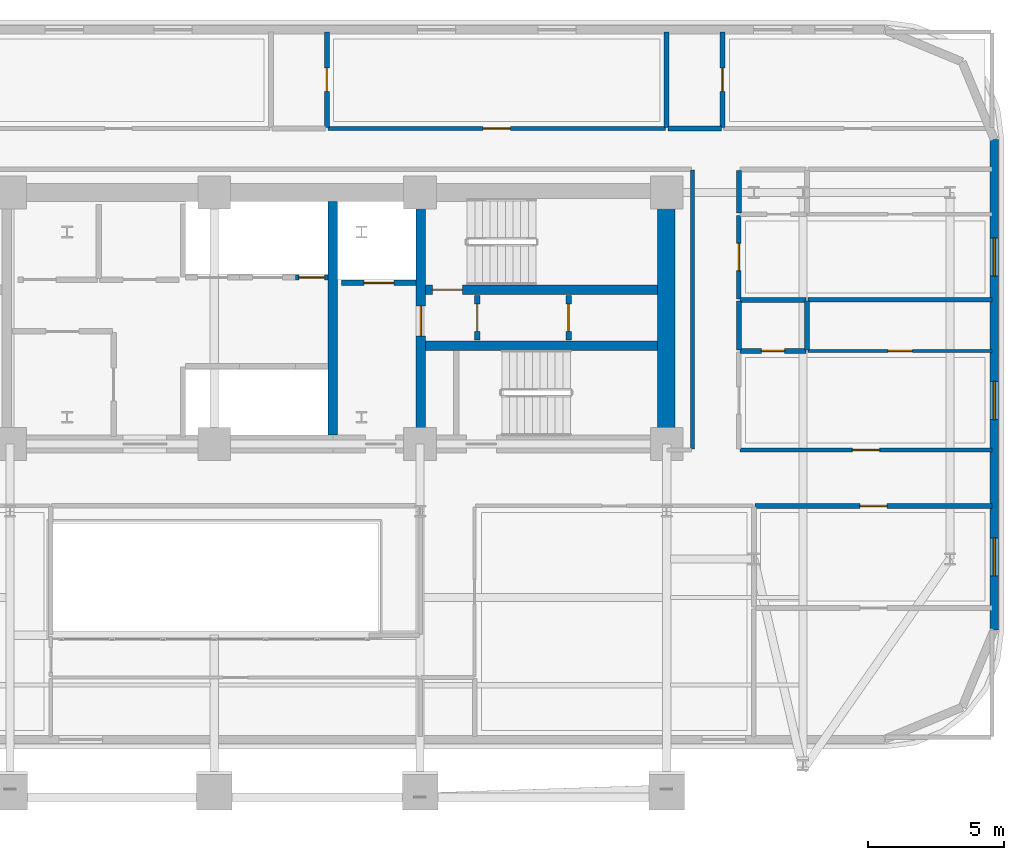
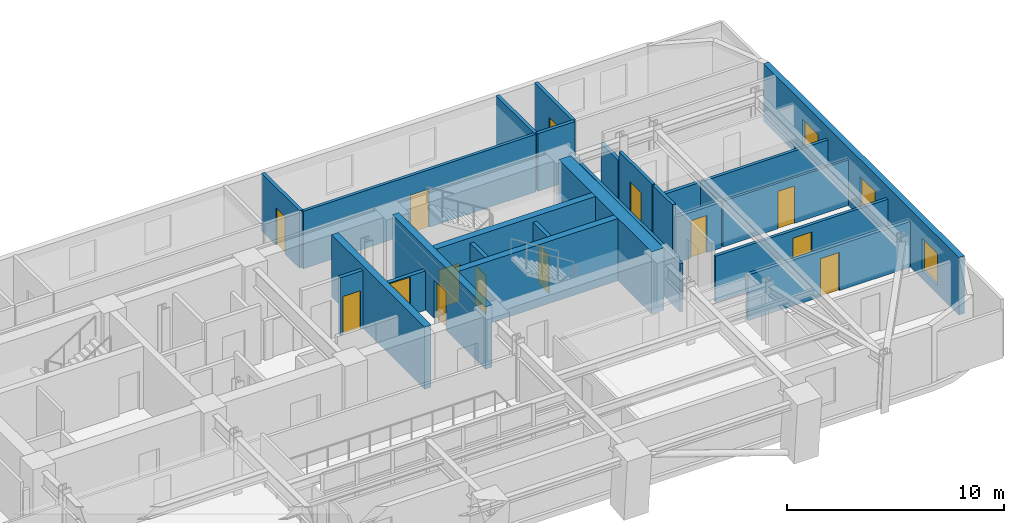
# One storey, part 10 of 14: 26 walls, 14 doors, 3 windows, 17 openings.
"""IFC4 building model written with IfcOpenShell, lengths in metres."""

from ifc_helpers import new_model, si_unit, direction, frame, frame_2d, origin, place, context, subcontext, project, spatial, rectangle, extrude, material, layer, layer_set, type_object, element, fill, save


model = new_model("IFC4")

# Units and contexts
model_context = context("Model", 3, precision=1e-05, world=origin(), true_north=direction((0.0, 1.0)))
body_context = subcontext(model_context, "Body", "Model", "MODEL_VIEW")
ifc_project = project(units=[si_unit("LENGTHUNIT", "METRE"), si_unit("AREAUNIT", "SQUARE_METRE"), si_unit("VOLUMEUNIT", "CUBIC_METRE"), si_unit("PLANEANGLEUNIT", "RADIAN"), si_unit("MASSUNIT", "GRAM", prefix="KILO")], contexts=[model_context])

# Site, building, storey
site_placement = place(None, origin())
site = spatial("IfcSite", under=ifc_project, at=site_placement, CompositionType="ELEMENT")
building_placement = place(site_placement, origin())
building = spatial("IfcBuilding", under=site, at=building_placement, Name="Zarnavel Station Tower", CompositionType="ELEMENT")
storey_placement = place(building_placement, frame((0.0, 0.0, 122.300048828125)))
storey = spatial("IfcBuildingStorey", under=building, at=storey_placement, Name="L33", CompositionType="ELEMENT", Elevation=122.300048828125)

# Wall
ifc_material_1 = material(Name="Concrete C50/60", Category="concrete")
ifc_layer_1 = layer(ifc_material_1, 0.35009765625)
ifc_layer_set_1 = layer_set([ifc_layer_1], Name="CW_350")
wall_type_1 = type_object("IfcWallType", Name="CW_350", PredefinedType="SHEAR", material=ifc_layer_set_1)
wall_1_placement = place(storey_placement, frame((33.14990234375, 28.14501953125, 0.0), z_axis=(0.0, 0.0, 1.0), x_axis=(0.0, 1.0, 0.0)))
element("IfcWall", 1, at=wall_1_placement, inside=storey, type_object=wall_type_1, Name="L33 Rear Core Shear Wall DIV-E", PredefinedType="SHEAR", context=body_context, shape_type="SweptSolid", body=[
    extrude(rectangle(XDim=8.580078125, YDim=0.35009765625, at=frame_2d((4.2900390625, 0.0))), origin(), (0.0, 0.0, 1.0), 3.5),
])

# Wall, opening, door
wall_2_placement = place(storey_placement, frame((36.3798828125, 28.14501953125, 0.0), z_axis=(0.0, 0.0, 1.0), x_axis=(0.0, 1.0, 0.0)))
wall_2 = element("IfcWall", 2, at=wall_2_placement, inside=storey, type_object=wall_type_1, Name="L33 Rear Core Shear Wall DIV-S2", PredefinedType="SHEAR", context=body_context, shape_type="SweptSolid", body=[
    extrude(rectangle(XDim=8.580078125, YDim=0.35009765625, at=frame_2d((4.2900390625, 0.0))), origin(), (0.0, 0.0, 1.0), 3.5),
])
opening_1_placement = place(wall_2_placement, frame((3.635009765625, 0.0, 0.0)))
opening_1 = element("IfcOpeningElement", 3, at=opening_1_placement, cuts=wall_2, Name="Opening FD01", PredefinedType="OPENING", context=body_context, shape_type="SweptSolid", body=[
    extrude(rectangle(XDim=1.10009765625, YDim=2.14990234375, at=frame_2d((0.550048828125, 1.074951171875))), frame((0.0, 0.18505859375, 0.0), z_axis=(0.0, -1.0, 0.0), x_axis=(1.0, 0.0, 0.0)), (0.0, 0.0, 1.0), 0.3701171875),
])
ifc_material_2 = material(Name="Painted Galvanised Steel and Hardwood Leaf", Category="steel")
door_type_1 = type_object("IfcDoorType", Name="ID_STAIR_1100", OperationType="NOTDEFINED", PredefinedType="DOOR", material=ifc_material_2)
door_1_placement = place(opening_1_placement, origin())
door_1 = element("IfcDoor", 4, at=door_1_placement, inside=storey, type_object=door_type_1, Name="L33 East Stair Vestibule Fire Door", OperationType="SINGLE_SWING_LEFT", OverallHeight=2.14990234375, OverallWidth=1.10009765625, PredefinedType="DOOR", context=body_context, shape_type="SweptSolid", body=[
    extrude(rectangle(XDim=1.10009765625, YDim=2.14990234375, at=frame_2d((0.550048828125, 1.074951171875))), frame((0.0, 0.02490234375, 0.0), z_axis=(0.0, -1.0, 0.0), x_axis=(1.0, 0.0, 0.0)), (0.0, 0.0, 1.0), 0.050048828125),
])
fill(opening_1, door_1)

wall_3_placement = place(storey_placement, frame((45.054931640625, 33.47998046875, 0.0), z_axis=(0.0, 0.0, 1.0), x_axis=(-1.0, 0.0, 0.0)))
wall_3 = element("IfcWall", 5, at=wall_3_placement, inside=storey, type_object=wall_type_1, Name="L33 Rear Core Shear Wall DIV-H2", PredefinedType="SHEAR", context=body_context, shape_type="SweptSolid", body=[
    extrude(rectangle(XDim=8.5, YDim=0.35009765625, at=frame_2d((4.25, 0.0))), origin(), (0.0, 0.0, 1.0), 3.5),
])
opening_2_placement = place(wall_3_placement, frame((7.155029296875, 0.0, 0.0)))
opening_2 = element("IfcOpeningElement", 6, at=opening_2_placement, cuts=wall_3, Name="Opening FD01", PredefinedType="OPENING", context=body_context, shape_type="SweptSolid", body=[
    extrude(rectangle(XDim=1.10009765625, YDim=2.14990234375, at=frame_2d((0.550048828125, 1.074951171875))), frame((0.0, 0.18505859375, 0.0), z_axis=(0.0, -1.0, 0.0), x_axis=(1.0, 0.0, 0.0)), (0.0, 0.0, 1.0), 0.3701171875),
])
door_2_placement = place(opening_2_placement, origin())
door_2 = element("IfcDoor", 7, at=door_2_placement, inside=storey, type_object=door_type_1, Name="L33 Stair ST2 Lobby Fire Door", OperationType="SINGLE_SWING_RIGHT", OverallHeight=2.14990234375, OverallWidth=1.10009765625, PredefinedType="DOOR", context=body_context, shape_type="SweptSolid", body=[
    extrude(rectangle(XDim=1.10009765625, YDim=2.14990234375, at=frame_2d((0.550048828125, 1.074951171875))), frame((0.0, 0.02490234375, 0.0), z_axis=(0.0, -1.0, 0.0), x_axis=(1.0, 0.0, 0.0)), (0.0, 0.0, 1.0), 0.050048828125),
])
fill(opening_2, door_2)

# Walls
wall_4_placement = place(storey_placement, frame((36.554931640625, 31.419921875, 0.0), z_axis=(0.0, 0.0, 1.0), x_axis=(1.0, 0.0, 0.0)))
element("IfcWall", 8, at=wall_4_placement, inside=storey, type_object=wall_type_1, Name="L33 Rear Core Shear Wall DIV-H3", PredefinedType="SHEAR", context=body_context, shape_type="SweptSolid", body=[
    extrude(rectangle(XDim=8.5, YDim=0.35009765625, at=frame_2d((4.25, 0.0))), origin(), (0.0, 0.0, 1.0), 3.5),
])
ifc_material_3 = material(Name="Concrete C60/75", Category="concrete")
ifc_layer_2 = layer(ifc_material_3, 0.64990234375)
ifc_layer_set_2 = layer_set([ifc_layer_2], Name="CW_650")
wall_type_2 = type_object("IfcWallType", Name="CW_650", PredefinedType="SHEAR", material=ifc_layer_set_2)
wall_5_placement = place(storey_placement, frame((45.3798828125, 28.14501953125, 0.0), z_axis=(0.0, 0.0, 1.0), x_axis=(0.0, 1.0, 0.0)))
element("IfcWall", 9, at=wall_5_placement, inside=storey, type_object=wall_type_2, Name="L33 Rear Core Shear Wall E", PredefinedType="SHEAR", context=body_context, shape_type="SweptSolid", body=[
    extrude(rectangle(XDim=8.580078125, YDim=0.64990234375, at=frame_2d((4.2900390625, 0.0))), origin(), (0.0, 0.0, 1.0), 3.5),
])

# Wall, openings, windows
ifc_material_4 = material(Name="Precast concrete C45/55 (Dark Basalt Finish)", Category="masonry")
ifc_layer_3 = layer(ifc_material_4, 0.300048828125)
ifc_layer_set_3 = layer_set([ifc_layer_3], Name="EW_BASALT_300")
wall_type_3 = type_object("IfcWallType", Name="EW_BASALT_300", PredefinedType="SOLIDWALL", material=ifc_layer_set_3)
wall_6_placement = place(storey_placement, frame((57.419921875, 39.0, 0.0), z_axis=(0.0, 0.0, 1.0), x_axis=(0.0, -1.0, 0.0)))
wall_6 = element("IfcWall", 10, at=wall_6_placement, inside=storey, type_object=wall_type_3, Name="L33 Exterior Basalt Masonry Frame Wall 03", PredefinedType="SOLIDWALL", context=body_context, shape_type="SweptSolid", body=[
    extrude(rectangle(XDim=18.0, YDim=0.300048828125, at=frame_2d((9.0, 0.0))), origin(), (0.0, 0.0, 1.0), 3.239990234375),
])
opening_3_placement = place(wall_6_placement, frame((8.882080078125, 0.0, 0.47998046875)))
opening_3 = element("IfcOpeningElement", 11, at=opening_3_placement, cuts=wall_6, Name="Opening WN01", PredefinedType="OPENING", context=body_context, shape_type="SweptSolid", body=[
    extrude(rectangle(XDim=1.39990234375, YDim=1.800048828125, at=frame_2d((0.699951171875, 0.89990234375))), frame((0.0, 0.159912109375, 0.0), z_axis=(0.0, -1.0, 0.0), x_axis=(1.0, 0.0, 0.0)), (0.0, 0.0, 1.0), 0.320068359375),
])
opening_4_placement = place(wall_6_placement, frame((3.62060546875, 0.0, 0.47998046875)))
opening_4 = element("IfcOpeningElement", 12, at=opening_4_placement, cuts=wall_6, Name="Opening WN01", PredefinedType="OPENING", context=body_context, shape_type="SweptSolid", body=[
    extrude(rectangle(XDim=1.39990234375, YDim=1.800048828125, at=frame_2d((0.699951171875, 0.89990234375))), frame((0.0, 0.159912109375, 0.0), z_axis=(0.0, -1.0, 0.0), x_axis=(1.0, 0.0, 0.0)), (0.0, 0.0, 1.0), 0.320068359375),
])
opening_5_placement = place(wall_6_placement, frame((14.625, 0.0, 0.47998046875)))
opening_5 = element("IfcOpeningElement", 13, at=opening_5_placement, cuts=wall_6, Name="Opening WN01", PredefinedType="OPENING", context=body_context, shape_type="SweptSolid", body=[
    extrude(rectangle(XDim=1.39990234375, YDim=1.800048828125, at=frame_2d((0.699951171875, 0.89990234375))), frame((0.0, 0.159912109375, 0.0), z_axis=(0.0, -1.0, 0.0), x_axis=(1.0, 0.0, 0.0)), (0.0, 0.0, 1.0), 0.320068359375),
])
ifc_material_5 = material(Name="Thermally Broken Black Aluminium and Low-E Dark Glass", Category="aluminium")
window_type = type_object("IfcWindowType", Name="WN_1400x1800", PartitioningType="DOUBLE_PANEL_VERTICAL", PredefinedType="WINDOW", material=ifc_material_5)
window_1_placement = place(opening_3_placement, origin())
window_1 = element("IfcWindow", 14, at=window_1_placement, inside=storey, type_object=window_type, Name="L33 Recessed Facade Window 01", OverallHeight=1.800048828125, OverallWidth=1.39990234375, PartitioningType="SINGLE_PANEL", PredefinedType="WINDOW", context=body_context, shape_type="SweptSolid", body=[
    extrude(rectangle(XDim=1.39990234375, YDim=1.800048828125, at=frame_2d((0.699951171875, 0.89990234375))), frame((0.0, 0.030029296875, 0.0), z_axis=(0.0, -1.0, 0.0), x_axis=(1.0, 0.0, 0.0)), (0.0, 0.0, 1.0), 0.06005859375),
])
fill(opening_3, window_1)
window_2_placement = place(opening_4_placement, origin())
window_2 = element("IfcWindow", 15, at=window_2_placement, inside=storey, type_object=window_type, Name="L33 Recessed Facade Window 02", OverallHeight=1.800048828125, OverallWidth=1.39990234375, PartitioningType="SINGLE_PANEL", PredefinedType="WINDOW", context=body_context, shape_type="SweptSolid", body=[
    extrude(rectangle(XDim=1.39990234375, YDim=1.800048828125, at=frame_2d((0.699951171875, 0.89990234375))), frame((0.0, 0.030029296875, 0.0), z_axis=(0.0, -1.0, 0.0), x_axis=(1.0, 0.0, 0.0)), (0.0, 0.0, 1.0), 0.06005859375),
])
fill(opening_4, window_2)
window_3_placement = place(opening_5_placement, origin())
window_3 = element("IfcWindow", 16, at=window_3_placement, inside=storey, type_object=window_type, Name="L33 Recessed Facade Window 03", OverallHeight=1.800048828125, OverallWidth=1.39990234375, PartitioningType="SINGLE_PANEL", PredefinedType="WINDOW", context=body_context, shape_type="SweptSolid", body=[
    extrude(rectangle(XDim=1.39990234375, YDim=1.800048828125, at=frame_2d((0.699951171875, 0.89990234375))), frame((0.0, 0.030029296875, 0.0), z_axis=(0.0, -1.0, 0.0), x_axis=(1.0, 0.0, 0.0)), (0.0, 0.0, 1.0), 0.06005859375),
])
fill(opening_5, window_3)

# Wall, opening, door
ifc_material_6 = material(Name="Gypsum Twin-Stud Acoustic Fire Partition", Category="concrete")
ifc_layer_4 = layer(ifc_material_6, 0.159912109375)
ifc_layer_set_4 = layer_set([ifc_layer_4], Name="PT_DEMISE_160")
wall_type_4 = type_object("IfcWallType", Name="PT_DEMISE_160", PredefinedType="PARTITIONING", material=ifc_layer_set_4)
wall_7_placement = place(storey_placement, frame((48.090087890625, 27.60009765625, 0.0), z_axis=(0.0, 0.0, 1.0), x_axis=(1.0, 0.0, 0.0)))
wall_7 = element("IfcWall", 17, at=wall_7_placement, inside=storey, type_object=wall_type_4, Name="L33 Partition COR-S-FNE1R", PredefinedType="PARTITIONING", context=body_context, shape_type="SweptSolid", body=[
    extrude(rectangle(XDim=9.25, YDim=0.159912109375, at=frame_2d((4.625, 0.0))), origin(), (0.0, 0.0, 1.0), 2.570068359375),
])
opening_6_placement = place(wall_7_placement, frame((4.125, 0.0, 0.0)))
opening_6 = element("IfcOpeningElement", 18, at=opening_6_placement, cuts=wall_7, Name="Opening FD02", PredefinedType="OPENING", context=body_context, shape_type="SweptSolid", body=[
    extrude(rectangle(XDim=1.0, YDim=2.14990234375, at=frame_2d((0.5, 1.074951171875))), frame((0.0, 0.08984375, 0.0), z_axis=(0.0, -1.0, 0.0), x_axis=(1.0, 0.0, 0.0)), (0.0, 0.0, 1.0), 0.179931640625),
])
ifc_material_7 = material(Name="Painted Galvanised Steel and Hardwood Leaf", Category="steel")
door_type_2 = type_object("IfcDoorType", Name="ID_ENTRY_1000", OperationType="NOTDEFINED", PredefinedType="DOOR", material=ifc_material_7)
door_3_placement = place(opening_6_placement, origin())
door_3 = element("IfcDoor", 19, at=door_3_placement, inside=storey, type_object=door_type_2, Name="L33 Door COR-S-FNE1R", OperationType="SINGLE_SWING_LEFT", OverallHeight=2.14990234375, OverallWidth=1.0, PredefinedType="DOOR", context=body_context, shape_type="SweptSolid", body=[
    extrude(rectangle(XDim=1.0, YDim=2.14990234375, at=frame_2d((0.5, 1.074951171875))), frame((0.0, 0.02490234375, 0.0), z_axis=(0.0, -1.0, 0.0), x_axis=(1.0, 0.0, 0.0)), (0.0, 0.0, 1.0), 0.050048828125),
])
fill(opening_6, door_3)

wall_8_placement = place(storey_placement, frame((48.050048828125, 33.14892578125, 0.0), z_axis=(0.0, 0.0, 1.0), x_axis=(0.0, 1.0, 0.0)))
wall_8 = element("IfcWall", 20, at=wall_8_placement, inside=storey, type_object=wall_type_4, Name="L33 Partition COR-E-FNE2R", PredefinedType="PARTITIONING", context=body_context, shape_type="SweptSolid", body=[
    extrude(rectangle(XDim=3.06103515625, YDim=0.159912109375, at=frame_2d((1.530517578125, 0.0))), origin(), (0.0, 0.0, 1.0), 3.239990234375),
])
opening_7_placement = place(wall_8_placement, frame((1.030517578125, 0.0, 0.0)))
opening_7 = element("IfcOpeningElement", 21, at=opening_7_placement, cuts=wall_8, Name="Opening FD02", PredefinedType="OPENING", context=body_context, shape_type="SweptSolid", body=[
    extrude(rectangle(XDim=1.0, YDim=2.14990234375, at=frame_2d((0.5, 1.074951171875))), frame((0.0, 0.08984375, 0.0), z_axis=(0.0, -1.0, 0.0), x_axis=(1.0, 0.0, 0.0)), (0.0, 0.0, 1.0), 0.179931640625),
])
door_4_placement = place(opening_7_placement, origin())
door_4 = element("IfcDoor", 22, at=door_4_placement, inside=storey, type_object=door_type_2, Name="L33 Door COR-E-FNE2R", OperationType="SINGLE_SWING_LEFT", OverallHeight=2.14990234375, OverallWidth=1.0, PredefinedType="DOOR", context=body_context, shape_type="SweptSolid", body=[
    extrude(rectangle(XDim=1.0, YDim=2.14990234375, at=frame_2d((0.5, 1.074951171875))), frame((0.0, 0.02490234375, 0.0), z_axis=(0.0, -1.0, 0.0), x_axis=(1.0, 0.0, 0.0)), (0.0, 0.0, 1.0), 0.050048828125),
])
fill(opening_7, door_4)

wall_9_placement = place(storey_placement, frame((32.967041015625, 39.39990234375, 0.0), z_axis=(0.0, 0.0, 1.0), x_axis=(1.0, 0.0, 0.0)))
wall_9 = element("IfcWall", 23, at=wall_9_placement, inside=storey, type_object=wall_type_4, Name="L33 Partition COR-N-HN3R", PredefinedType="PARTITIONING", context=body_context, shape_type="SweptSolid", body=[
    extrude(rectangle(XDim=12.39306640625, YDim=0.159912109375, at=frame_2d((6.196533203125, 0.0))), origin(), (0.0, 0.0, 1.0), 3.239990234375),
])
opening_8_placement = place(wall_9_placement, frame((5.696533203125, 0.0, 0.0)))
opening_8 = element("IfcOpeningElement", 24, at=opening_8_placement, cuts=wall_9, Name="Opening FD02", PredefinedType="OPENING", context=body_context, shape_type="SweptSolid", body=[
    extrude(rectangle(XDim=1.0, YDim=2.14990234375, at=frame_2d((0.5, 1.074951171875))), frame((0.0, 0.08984375, 0.0), z_axis=(0.0, -1.0, 0.0), x_axis=(1.0, 0.0, 0.0)), (0.0, 0.0, 1.0), 0.179931640625),
])
door_5_placement = place(opening_8_placement, origin())
door_5 = element("IfcDoor", 25, at=door_5_placement, inside=storey, type_object=door_type_2, Name="L33 Door COR-N-HN3R", OperationType="SINGLE_SWING_LEFT", OverallHeight=2.14990234375, OverallWidth=1.0, PredefinedType="DOOR", context=body_context, shape_type="SweptSolid", body=[
    extrude(rectangle(XDim=1.0, YDim=2.14990234375, at=frame_2d((0.5, 1.074951171875))), frame((0.0, 0.02490234375, 0.0), z_axis=(0.0, -1.0, 0.0), x_axis=(1.0, 0.0, 0.0)), (0.0, 0.0, 1.0), 0.050048828125),
])
fill(opening_8, door_5)

# Walls
wall_10_placement = place(storey_placement, frame((50.590087890625, 33.10888671875, 0.0), z_axis=(0.0, 0.0, 1.0), x_axis=(1.0, 0.0, 0.0)))
element("IfcWall", 26, at=wall_10_placement, inside=storey, type_object=wall_type_4, Name="L33 Partition FNE1S-FNE2R", PredefinedType="PARTITIONING", context=body_context, shape_type="SweptSolid", body=[
    extrude(rectangle(XDim=6.75, YDim=0.159912109375, at=frame_2d((3.375, 0.0))), origin(), (0.0, 0.0, 1.0), 2.570068359375),
])
wall_11_placement = place(storey_placement, frame((46.35009765625, 27.6298828125, 0.0), z_axis=(0.0, 0.0, 1.0), x_axis=(0.0, 1.0, 0.0)))
element("IfcWall", 27, at=wall_11_placement, inside=storey, type_object=wall_type_4, Name="L33 Enclosure Wall COR-E", PredefinedType="PARTITIONING", context=body_context, shape_type="SweptSolid", body=[
    extrude(rectangle(XDim=10.240234375, YDim=0.159912109375, at=frame_2d((5.1201171875, 0.0))), origin(), (0.0, 0.0, 1.0), 2.719970703125),
])

# Wall, opening, door
ifc_material_8 = material(Name="Gypsum Metal-Stud Interior Partition", Category="concrete")
ifc_layer_5 = layer(ifc_material_8, 0.1201171875)
ifc_layer_set_5 = layer_set([ifc_layer_5], Name="PT_ROOM_120")
wall_type_5 = type_object("IfcWallType", Name="PT_ROOM_120", PredefinedType="PARTITIONING", material=ifc_layer_set_5)
wall_12_placement = place(storey_placement, frame((50.590087890625, 31.236083984375, 0.0), z_axis=(0.0, 0.0, 1.0), x_axis=(1.0, 0.0, 0.0)))
wall_12 = element("IfcWall", 28, at=wall_12_placement, inside=storey, type_object=wall_type_5, Name="L33 Partition FNE1R-FNE1S", PredefinedType="PARTITIONING", context=body_context, shape_type="SweptSolid", body=[
    extrude(rectangle(XDim=6.75, YDim=0.1201171875, at=frame_2d((3.375, 0.0))), origin(), (0.0, 0.0, 1.0), 2.570068359375),
])
opening_9_placement = place(wall_12_placement, frame((2.925048828125, 0.0, 0.0)))
opening_9 = element("IfcOpeningElement", 29, at=opening_9_placement, cuts=wall_12, Name="Opening ID01", PredefinedType="OPENING", context=body_context, shape_type="SweptSolid", body=[
    extrude(rectangle(XDim=0.89990234375, YDim=2.10009765625, at=frame_2d((0.449951171875, 1.050048828125))), frame((0.0, 0.070068359375, 0.0), z_axis=(0.0, -1.0, 0.0), x_axis=(1.0, 0.0, 0.0)), (0.0, 0.0, 1.0), 0.14013671875),
])
ifc_material_9 = material(Name="Painted Galvanised Steel and Hardwood Leaf", Category="steel")
door_type_3 = type_object("IfcDoorType", Name="ID_ROOM_900", OperationType="NOTDEFINED", PredefinedType="DOOR", material=ifc_material_9)
door_6_placement = place(opening_9_placement, origin())
door_6 = element("IfcDoor", 30, at=door_6_placement, inside=storey, type_object=door_type_3, Name="L33 Door FNE1R-FNE1S", OperationType="SINGLE_SWING_LEFT", OverallHeight=2.10009765625, OverallWidth=0.89990234375, PredefinedType="DOOR", context=body_context, shape_type="SweptSolid", body=[
    extrude(rectangle(XDim=0.89990234375, YDim=2.10009765625, at=frame_2d((0.449951171875, 1.050048828125))), frame((0.0, 0.02490234375, 0.0), z_axis=(0.0, -1.0, 0.0), x_axis=(1.0, 0.0, 0.0)), (0.0, 0.0, 1.0), 0.050048828125),
])
fill(opening_9, door_6)

ifc_material_10 = material(Name="Precast concrete C45/55 (Fire Shaft Blockwork)", Category="masonry")
ifc_layer_6 = layer(ifc_material_10, 0.199951171875)
ifc_layer_set_6 = layer_set([ifc_layer_6], Name="PT_SHAFT_200")
wall_type_6 = type_object("IfcWallType", Name="PT_SHAFT_200", PredefinedType="PARTITIONING", material=ifc_layer_set_6)
wall_13_placement = place(storey_placement, frame((33.47509765625, 33.72998046875, 0.0), z_axis=(0.0, 0.0, 1.0), x_axis=(1.0, 0.0, 0.0)))
wall_13 = element("IfcWall", 31, at=wall_13_placement, inside=storey, type_object=wall_type_6, Name="L33 Lift FFL-02 Shaft Front Wall", PredefinedType="PARTITIONING", context=body_context, shape_type="SweptSolid", body=[
    extrude(rectangle(XDim=2.724853515625, YDim=0.199951171875, at=frame_2d((1.3623046875, 0.0))), origin(), (0.0, 0.0, 1.0), 2.2119140625),
])
opening_10_placement = place(wall_13_placement, frame((0.8125, 0.0, 0.0)))
opening_10 = element("IfcOpeningElement", 32, at=opening_10_placement, cuts=wall_13, Name="Opening LD01", PredefinedType="OPENING", context=body_context, shape_type="SweptSolid", body=[
    extrude(rectangle(XDim=1.10009765625, YDim=2.14990234375, at=frame_2d((0.550048828125, 1.074951171875))), frame((0.0, 0.10986328125, 0.0), z_axis=(0.0, -1.0, 0.0), x_axis=(1.0, 0.0, 0.0)), (0.0, 0.0, 1.0), 0.219970703125),
])
ifc_material_11 = material(Name="Painted Galvanised Steel and Hardwood Leaf", Category="steel")
door_type_4 = type_object("IfcDoorType", Name="LD_FF_1100", OperationType="DOUBLE_DOOR_SLIDING", PredefinedType="DOOR", material=ifc_material_11)
door_7_placement = place(opening_10_placement, origin())
door_7 = element("IfcDoor", 33, at=door_7_placement, inside=storey, type_object=door_type_4, Name="L33 Lift FFL-02 Sliding Landing Door", OperationType="DOUBLE_DOOR_SLIDING", OverallHeight=2.14990234375, OverallWidth=1.10009765625, PredefinedType="DOOR", context=body_context, shape_type="SweptSolid", body=[
    extrude(rectangle(XDim=1.10009765625, YDim=2.14990234375, at=frame_2d((0.550048828125, 1.074951171875))), frame((0.0, 0.02490234375, 0.0), z_axis=(0.0, -1.0, 0.0), x_axis=(1.0, 0.0, 0.0)), (0.0, 0.0, 1.0), 0.050048828125),
])
fill(opening_10, door_7)

wall_14_placement = place(storey_placement, frame((31.77490234375, 33.929931640625, 0.0), z_axis=(0.0, 0.0, 1.0), x_axis=(1.0, 0.0, 0.0)))
wall_14 = element("IfcWall", 34, at=wall_14_placement, inside=storey, type_object=wall_type_6, Name="L33 Lift PL-M3 Shaft Front Wall", PredefinedType="PARTITIONING", context=body_context, shape_type="SweptSolid", body=[
    extrude(rectangle(XDim=1.2001953125, YDim=0.199951171875, at=frame_2d((0.60009765625, 0.0))), origin(), (0.0, 0.0, 1.0), 3.239990234375),
])
opening_11_placement = place(wall_14_placement, frame((0.125, 0.0, 0.0)))
opening_11 = element("IfcOpeningElement", 35, at=opening_11_placement, cuts=wall_14, Name="Opening LD03", PredefinedType="OPENING", context=body_context, shape_type="SweptSolid", body=[
    extrude(rectangle(XDim=0.949951171875, YDim=2.14990234375, at=frame_2d((0.47509765625, 1.074951171875))), frame((0.0, 0.10986328125, 0.0), z_axis=(0.0, -1.0, 0.0), x_axis=(1.0, 0.0, 0.0)), (0.0, 0.0, 1.0), 0.219970703125),
])
ifc_material_12 = material(Name="Painted Galvanised Steel and Hardwood Leaf", Category="steel")
door_type_5 = type_object("IfcDoorType", Name="LD_PAX_0950", OperationType="DOUBLE_DOOR_SLIDING", PredefinedType="DOOR", material=ifc_material_12)
door_8_placement = place(opening_11_placement, origin())
door_8 = element("IfcDoor", 36, at=door_8_placement, inside=storey, type_object=door_type_5, Name="L33 Lift PL-M3 Sliding Landing Door", OperationType="DOUBLE_DOOR_SLIDING", OverallHeight=2.14990234375, OverallWidth=0.949951171875, PredefinedType="DOOR", context=body_context, shape_type="SweptSolid", body=[
    extrude(rectangle(XDim=0.949951171875, YDim=2.14990234375, at=frame_2d((0.47509765625, 1.074951171875))), frame((0.0, 0.02490234375, 0.0), z_axis=(0.0, -1.0, 0.0), x_axis=(1.0, 0.0, 0.0)), (0.0, 0.0, 1.0), 0.050048828125),
])
fill(opening_11, door_8)

wall_15_placement = place(storey_placement, frame((38.449951171875, 31.639892578125, 0.0), z_axis=(0.0, 0.0, 1.0), x_axis=(0.0, 1.0, 0.0)))
wall_15 = element("IfcWall", 37, at=wall_15_placement, inside=storey, type_object=wall_type_6, Name="L33 Partition ESTV-CEA", PredefinedType="PARTITIONING", context=body_context, shape_type="SweptSolid", body=[
    extrude(rectangle(XDim=1.6201171875, YDim=0.199951171875, at=frame_2d((0.81005859375, 0.0))), origin(), (0.0, 0.0, 1.0), 3.239990234375),
])
opening_12_placement = place(wall_15_placement, frame((0.31005859375, 0.0, 0.0)))
opening_12 = element("IfcOpeningElement", 38, at=opening_12_placement, cuts=wall_15, Name="Opening FD02", PredefinedType="OPENING", context=body_context, shape_type="SweptSolid", body=[
    extrude(rectangle(XDim=1.0, YDim=2.14990234375, at=frame_2d((0.5, 1.074951171875))), frame((0.0, 0.10986328125, 0.0), z_axis=(0.0, -1.0, 0.0), x_axis=(1.0, 0.0, 0.0)), (0.0, 0.0, 1.0), 0.219970703125),
])
door_9_placement = place(opening_12_placement, origin())
door_9 = element("IfcDoor", 39, at=door_9_placement, inside=storey, type_object=door_type_2, Name="L33 Door ESTV-CEA", OperationType="SINGLE_SWING_RIGHT", OverallHeight=2.14990234375, OverallWidth=1.0, PredefinedType="DOOR", context=body_context, shape_type="SweptSolid", body=[
    extrude(rectangle(XDim=1.0, YDim=2.14990234375, at=frame_2d((0.5, 1.074951171875))), frame((0.0, 0.02490234375, 0.0), z_axis=(0.0, -1.0, 0.0), x_axis=(1.0, 0.0, 0.0)), (0.0, 0.0, 1.0), 0.050048828125),
])
fill(opening_12, door_9)

wall_16_placement = place(storey_placement, frame((41.800048828125, 31.639892578125, 0.0), z_axis=(0.0, 0.0, 1.0), x_axis=(0.0, 1.0, 0.0)))
wall_16 = element("IfcWall", 40, at=wall_16_placement, inside=storey, type_object=wall_type_6, Name="L33 Partition CEA-CEB", PredefinedType="PARTITIONING", context=body_context, shape_type="SweptSolid", body=[
    extrude(rectangle(XDim=1.6201171875, YDim=0.199951171875, at=frame_2d((0.81005859375, 0.0))), origin(), (0.0, 0.0, 1.0), 3.239990234375),
])
opening_13_placement = place(wall_16_placement, frame((0.31005859375, 0.0, 0.0)))
opening_13 = element("IfcOpeningElement", 41, at=opening_13_placement, cuts=wall_16, Name="Opening FD02", PredefinedType="OPENING", context=body_context, shape_type="SweptSolid", body=[
    extrude(rectangle(XDim=1.0, YDim=2.14990234375, at=frame_2d((0.5, 1.074951171875))), frame((0.0, 0.10986328125, 0.0), z_axis=(0.0, -1.0, 0.0), x_axis=(1.0, 0.0, 0.0)), (0.0, 0.0, 1.0), 0.219970703125),
])
door_10_placement = place(opening_13_placement, origin())
door_10 = element("IfcDoor", 42, at=door_10_placement, inside=storey, type_object=door_type_2, Name="L33 Door CEA-CEB", OperationType="SINGLE_SWING_LEFT", OverallHeight=2.14990234375, OverallWidth=1.0, PredefinedType="DOOR", context=body_context, shape_type="SweptSolid", body=[
    extrude(rectangle(XDim=1.0, YDim=2.14990234375, at=frame_2d((0.5, 1.074951171875))), frame((0.0, 0.02490234375, 0.0), z_axis=(0.0, -1.0, 0.0), x_axis=(1.0, 0.0, 0.0)), (0.0, 0.0, 1.0), 0.050048828125),
])
fill(opening_13, door_10)

ifc_material_13 = material(Name="Moisture-Resistant Plumbing Chase Wall", Category="concrete")
ifc_layer_7 = layer(ifc_material_13, 0.179931640625)
ifc_layer_set_7 = layer_set([ifc_layer_7], Name="PW_PLUMB_180")
wall_type_7 = type_object("IfcWallType", Name="PW_PLUMB_180", PredefinedType="PLUMBINGWALL", material=ifc_layer_set_7)
wall_17_placement = place(storey_placement, frame((48.639892578125, 25.550048828125, 0.0), z_axis=(0.0, 0.0, 1.0), x_axis=(1.0, 0.0, 0.0)))
wall_17 = element("IfcWall", 43, at=wall_17_placement, inside=storey, type_object=wall_type_7, Name="L33 Partition COR-S-L33KIT", PredefinedType="PLUMBINGWALL", context=body_context, shape_type="SweptSolid", body=[
    extrude(rectangle(XDim=8.7001953125, YDim=0.179931640625, at=frame_2d((4.35009765625, 0.0))), origin(), (0.0, 0.0, 1.0), 2.570068359375),
])
opening_14_placement = place(wall_17_placement, frame((3.85009765625, 0.0, 0.0)))
opening_14 = element("IfcOpeningElement", 44, at=opening_14_placement, cuts=wall_17, Name="Opening FD02", PredefinedType="OPENING", context=body_context, shape_type="SweptSolid", body=[
    extrude(rectangle(XDim=1.0, YDim=2.14990234375, at=frame_2d((0.5, 1.074951171875))), frame((0.0, 0.099853515625, 0.0), z_axis=(0.0, -1.0, 0.0), x_axis=(1.0, 0.0, 0.0)), (0.0, 0.0, 1.0), 0.199951171875),
])
door_11_placement = place(opening_14_placement, origin())
door_11 = element("IfcDoor", 45, at=door_11_placement, inside=storey, type_object=door_type_2, Name="L33 Door COR-S-L33KIT", OperationType="SINGLE_SWING_LEFT", OverallHeight=2.14990234375, OverallWidth=1.0, PredefinedType="DOOR", context=body_context, shape_type="SweptSolid", body=[
    extrude(rectangle(XDim=1.0, YDim=2.14990234375, at=frame_2d((0.5, 1.074951171875))), frame((0.0, 0.02490234375, 0.0), z_axis=(0.0, -1.0, 0.0), x_axis=(1.0, 0.0, 0.0)), (0.0, 0.0, 1.0), 0.050048828125),
])
fill(opening_14, door_11)

# Walls
wall_18_placement = place(storey_placement, frame((48.050048828125, 31.27587890625, 0.0), z_axis=(0.0, 0.0, 1.0), x_axis=(0.0, 1.0, 0.0)))
element("IfcWall", 46, at=wall_18_placement, inside=storey, type_object=wall_type_7, Name="L33 Partition COR-E-FNE1B", PredefinedType="PLUMBINGWALL", context=body_context, shape_type="SweptSolid", body=[
    extrude(rectangle(XDim=1.793212890625, YDim=0.179931640625, at=frame_2d((0.896484375, 0.0))), origin(), (0.0, 0.0, 1.0), 3.239990234375),
])
wall_19_placement = place(storey_placement, frame((48.050048828125, 36.2900390625, 0.0), z_axis=(0.0, 0.0, 1.0), x_axis=(0.0, 1.0, 0.0)))
element("IfcWall", 47, at=wall_19_placement, inside=storey, type_object=wall_type_7, Name="L33 Partition COR-E-FNE2B", PredefinedType="PLUMBINGWALL", context=body_context, shape_type="SweptSolid", body=[
    extrude(rectangle(XDim=1.570068359375, YDim=0.179931640625, at=frame_2d((0.78515625, 0.0))), origin(), (0.0, 0.0, 1.0), 2.719970703125),
])
wall_20_placement = place(storey_placement, frame((45.43994140625, 39.39990234375, 0.0), z_axis=(0.0, 0.0, 1.0), x_axis=(1.0, 0.0, 0.0)))
element("IfcWall", 48, at=wall_20_placement, inside=storey, type_object=wall_type_7, Name="L33 Partition COR-N-HN4B", PredefinedType="PLUMBINGWALL", context=body_context, shape_type="SweptSolid", body=[
    extrude(rectangle(XDim=1.969970703125, YDim=0.179931640625, at=frame_2d((0.98486328125, 0.0))), origin(), (0.0, 0.0, 1.0), 3.239990234375),
])

# Wall, opening, door
wall_21_placement = place(storey_placement, frame((48.090087890625, 31.236083984375, 0.0), z_axis=(0.0, 0.0, 1.0), x_axis=(1.0, 0.0, 0.0)))
wall_21 = element("IfcWall", 49, at=wall_21_placement, inside=storey, type_object=wall_type_7, Name="L33 Partition FNE1R-FNE1B", PredefinedType="PLUMBINGWALL", context=body_context, shape_type="SweptSolid", body=[
    extrude(rectangle(XDim=2.419921875, YDim=0.179931640625, at=frame_2d((1.2099609375, 0.0))), origin(), (0.0, 0.0, 1.0), 2.570068359375),
])
opening_15_placement = place(wall_21_placement, frame((0.784912109375, 0.0, 0.0)))
opening_15 = element("IfcOpeningElement", 50, at=opening_15_placement, cuts=wall_21, Name="Opening ID02", PredefinedType="OPENING", context=body_context, shape_type="SweptSolid", body=[
    extrude(rectangle(XDim=0.85009765625, YDim=2.10009765625, at=frame_2d((0.425048828125, 1.050048828125))), frame((0.0, 0.099853515625, 0.0), z_axis=(0.0, -1.0, 0.0), x_axis=(1.0, 0.0, 0.0)), (0.0, 0.0, 1.0), 0.199951171875),
])
ifc_material_14 = material(Name="Painted Galvanised Steel and Hardwood Leaf", Category="steel")
door_type_6 = type_object("IfcDoorType", Name="ID_BATH_850", OperationType="NOTDEFINED", PredefinedType="DOOR", material=ifc_material_14)
door_12_placement = place(opening_15_placement, origin())
door_12 = element("IfcDoor", 51, at=door_12_placement, inside=storey, type_object=door_type_6, Name="L33 Door FNE1R-FNE1B", OperationType="SINGLE_SWING_RIGHT", OverallHeight=2.10009765625, OverallWidth=0.85009765625, PredefinedType="DOOR", context=body_context, shape_type="SweptSolid", body=[
    extrude(rectangle(XDim=0.85009765625, YDim=2.10009765625, at=frame_2d((0.425048828125, 1.050048828125))), frame((0.0, 0.02490234375, 0.0), z_axis=(0.0, -1.0, 0.0), x_axis=(1.0, 0.0, 0.0)), (0.0, 0.0, 1.0), 0.050048828125),
])
fill(opening_15, door_12)

# Walls
wall_22_placement = place(storey_placement, frame((50.550048828125, 31.27587890625, 0.0), z_axis=(0.0, 0.0, 1.0), x_axis=(0.0, 1.0, 0.0)))
element("IfcWall", 52, at=wall_22_placement, inside=storey, type_object=wall_type_7, Name="L33 Partition FNE1B-FNE1S", PredefinedType="PLUMBINGWALL", context=body_context, shape_type="SweptSolid", body=[
    extrude(rectangle(XDim=1.793212890625, YDim=0.179931640625, at=frame_2d((0.896484375, 0.0))), origin(), (0.0, 0.0, 1.0), 2.570068359375),
])
wall_23_placement = place(storey_placement, frame((48.090087890625, 33.10888671875, 0.0), z_axis=(0.0, 0.0, 1.0), x_axis=(1.0, 0.0, 0.0)))
element("IfcWall", 53, at=wall_23_placement, inside=storey, type_object=wall_type_7, Name="L33 Partition FNE1B-FNE2R", PredefinedType="PLUMBINGWALL", context=body_context, shape_type="SweptSolid", body=[
    extrude(rectangle(XDim=2.419921875, YDim=0.179931640625, at=frame_2d((1.2099609375, 0.0))), origin(), (0.0, 0.0, 1.0), 2.570068359375),
])

# Wall, opening, door
wall_24_placement = place(storey_placement, frame((32.927001953125, 39.43994140625, 0.0), z_axis=(0.0, 0.0, 1.0), x_axis=(0.0, 1.0, 0.0)))
wall_24 = element("IfcWall", 54, at=wall_24_placement, inside=storey, type_object=wall_type_7, Name="L33 Partition HN3R-HN3B", PredefinedType="PLUMBINGWALL", context=body_context, shape_type="SweptSolid", body=[
    extrude(rectangle(XDim=3.5, YDim=0.179931640625, at=frame_2d((1.75, 0.0))), origin(), (0.0, 0.0, 1.0), 3.239990234375),
])
opening_16_placement = place(wall_24_placement, frame((1.324951171875, 0.0, 0.0)))
opening_16 = element("IfcOpeningElement", 55, at=opening_16_placement, cuts=wall_24, Name="Opening ID02", PredefinedType="OPENING", context=body_context, shape_type="SweptSolid", body=[
    extrude(rectangle(XDim=0.85009765625, YDim=2.10009765625, at=frame_2d((0.425048828125, 1.050048828125))), frame((0.0, 0.099853515625, 0.0), z_axis=(0.0, -1.0, 0.0), x_axis=(1.0, 0.0, 0.0)), (0.0, 0.0, 1.0), 0.199951171875),
])
door_13_placement = place(opening_16_placement, origin())
door_13 = element("IfcDoor", 56, at=door_13_placement, inside=storey, type_object=door_type_6, Name="L33 Door HN3R-HN3B", OperationType="SINGLE_SWING_RIGHT", OverallHeight=2.10009765625, OverallWidth=0.85009765625, PredefinedType="DOOR", context=body_context, shape_type="SweptSolid", body=[
    extrude(rectangle(XDim=0.85009765625, YDim=2.10009765625, at=frame_2d((0.425048828125, 1.050048828125))), frame((0.0, 0.02490234375, 0.0), z_axis=(0.0, -1.0, 0.0), x_axis=(1.0, 0.0, 0.0)), (0.0, 0.0, 1.0), 0.050048828125),
])
fill(opening_16, door_13)

# Wall
wall_25_placement = place(storey_placement, frame((45.39990234375, 39.43994140625, 0.0), z_axis=(0.0, 0.0, 1.0), x_axis=(0.0, 1.0, 0.0)))
element("IfcWall", 57, at=wall_25_placement, inside=storey, type_object=wall_type_7, Name="L33 Partition HN3R-HN4B", PredefinedType="PLUMBINGWALL", context=body_context, shape_type="SweptSolid", body=[
    extrude(rectangle(XDim=3.5, YDim=0.179931640625, at=frame_2d((1.75, 0.0))), origin(), (0.0, 0.0, 1.0), 3.239990234375),
])

# Wall, opening, door
wall_26_placement = place(storey_placement, frame((47.449951171875, 39.43994140625, 0.0), z_axis=(0.0, 0.0, 1.0), x_axis=(0.0, 1.0, 0.0)))
wall_26 = element("IfcWall", 58, at=wall_26_placement, inside=storey, type_object=wall_type_7, Name="L33 Partition HN4R-HN4B", PredefinedType="PLUMBINGWALL", context=body_context, shape_type="SweptSolid", body=[
    extrude(rectangle(XDim=3.5, YDim=0.179931640625, at=frame_2d((1.75, 0.0))), origin(), (0.0, 0.0, 1.0), 3.239990234375),
])
opening_17_placement = place(wall_26_placement, frame((1.324951171875, 0.0, 0.0)))
opening_17 = element("IfcOpeningElement", 59, at=opening_17_placement, cuts=wall_26, Name="Opening ID02", PredefinedType="OPENING", context=body_context, shape_type="SweptSolid", body=[
    extrude(rectangle(XDim=0.85009765625, YDim=2.10009765625, at=frame_2d((0.425048828125, 1.050048828125))), frame((0.0, 0.099853515625, 0.0), z_axis=(0.0, -1.0, 0.0), x_axis=(1.0, 0.0, 0.0)), (0.0, 0.0, 1.0), 0.199951171875),
])
door_14_placement = place(opening_17_placement, origin())
door_14 = element("IfcDoor", 60, at=door_14_placement, inside=storey, type_object=door_type_6, Name="L33 Door HN4R-HN4B", OperationType="SINGLE_SWING_LEFT", OverallHeight=2.10009765625, OverallWidth=0.85009765625, PredefinedType="DOOR", context=body_context, shape_type="SweptSolid", body=[
    extrude(rectangle(XDim=0.85009765625, YDim=2.10009765625, at=frame_2d((0.425048828125, 1.050048828125))), frame((0.0, 0.02490234375, 0.0), z_axis=(0.0, -1.0, 0.0), x_axis=(1.0, 0.0, 0.0)), (0.0, 0.0, 1.0), 0.050048828125),
])
fill(opening_17, door_14)

save(model, "model.ifc")
